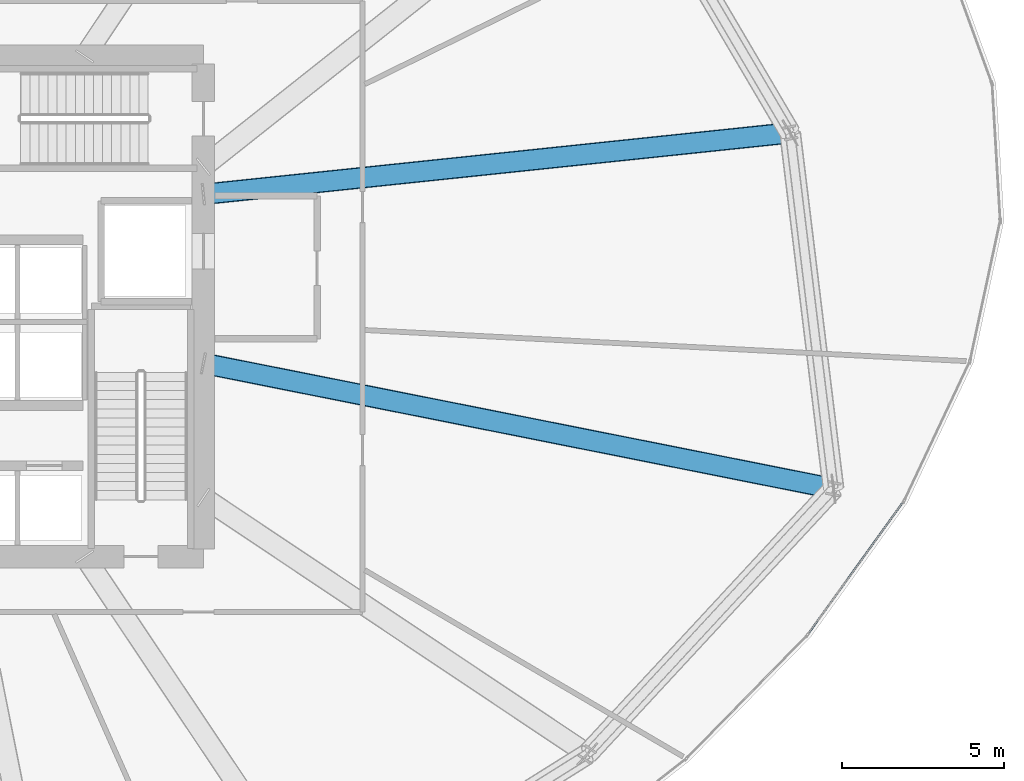
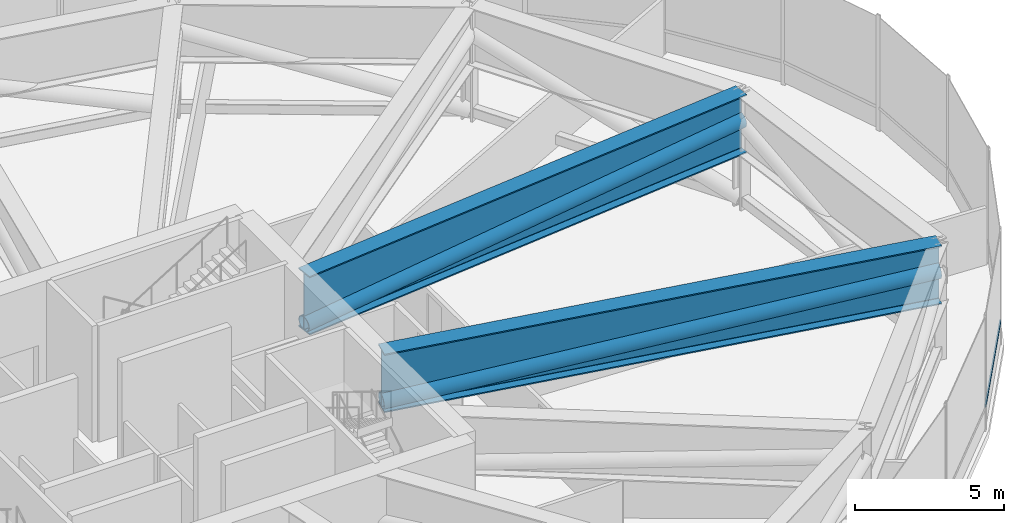
# One storey, part 14 of 33: 3 members, 2 beams, 1 element without a shape of its own.
"""IFC4 building model written with IfcOpenShell, lengths in metres."""

from ifc_helpers import new_model, si_unit, direction, frame, origin, origin_2d, place, context, subcontext, project, spatial, hollow_rectangle, hollow_circle, i_section, extrude, source, transform, mapped, material, layer, layer_set, material_profile, profile_set, type_object, element, aggregate, save


model = new_model("IFC4")

# Units and contexts
model_context = context("Model", 3, precision=1e-05, world=origin(), true_north=direction((0.0, 1.0)))
body_context = subcontext(model_context, "Body", "Model", "MODEL_VIEW")
ifc_project = project(units=[si_unit("LENGTHUNIT", "METRE"), si_unit("AREAUNIT", "SQUARE_METRE"), si_unit("VOLUMEUNIT", "CUBIC_METRE"), si_unit("PLANEANGLEUNIT", "RADIAN"), si_unit("MASSUNIT", "GRAM", prefix="KILO"), si_unit("THERMODYNAMICTEMPERATUREUNIT", "KELVIN")], contexts=[model_context])

# Site, building, storey
site_placement = place(None, origin())
site = spatial("IfcSite", under=ifc_project, at=site_placement, CompositionType="ELEMENT")
building_placement = place(site_placement, origin())
building = spatial("IfcBuilding", under=site, at=building_placement, Name="Kethvar Cultural Tower", CompositionType="ELEMENT")
storey_placement = place(building_placement, frame((0.0, 0.0, 80.39990234375)))
storey = spatial("IfcBuildingStorey", under=building, at=storey_placement, Name="L19", CompositionType="ELEMENT", Elevation=80.39990234375)

# Beam
ifc_material_1 = material(Name="Steel S460M", Category="steel")
ifc_material_profile_1 = material_profile(ifc_material_1, i_section(OverallWidth=0.64990234375, OverallDepth=2.39990234375, WebThickness=0.030029296875, FlangeThickness=0.048095703125, FilletRadius=0.02197265625, at=origin_2d()), Name="Steel S460M — PG2400x650x48x30")
ifc_profile_set_1 = profile_set([ifc_material_profile_1], Name="Steel S460M — PG2400x650x48x30")
beam_type = type_object("IfcBeamType", Name="BM-TR2400", PredefinedType="BEAM", material=ifc_profile_set_1)
shared_shape_1 = source(origin(), body_context, "Body", "SweptSolid", [
    extrude(i_section(OverallWidth=0.64990234375, OverallDepth=2.39990234375, WebThickness=0.030029296875, FlangeThickness=0.048095703125, FilletRadius=0.02197265625, at=origin_2d()), origin(), (0.0, 0.0, 1.0), 18.155517578125),
])
beam_1_placement = place(storey_placement, frame((55.60009765625, 31.25, 3.55810546875), z_axis=(0.994554710129, 0.104215778847, 0.0), x_axis=(-0.104215778847, 0.994554710129, 0.0)))
element("IfcBeam", 1, at=beam_1_placement, inside=storey, type_object=beam_type, Name="L19 Outrigger Transfer Girder OG-01", PredefinedType="BEAM", context=body_context, shape_type="MappedRepresentation", body=[
    mapped(shared_shape_1, transform((0.0, 0.0, 0.0), scale=1.0)),
])

# Member
ifc_material_profile_2 = material_profile(ifc_material_1, hollow_circle(Radius=0.304931640625, WallThickness=0.02490234375, at=origin_2d()), Name="Steel S460M — CHS610x25")
ifc_profile_set_2 = profile_set([ifc_material_profile_2], Name="Steel S460M — CHS610x25")
member_type_1 = type_object("IfcMemberType", Name="MB-OUT-610", PredefinedType="BRACE", material=ifc_profile_set_2)
shared_shape_2 = source(origin(), body_context, "Body", "SweptSolid", [
    extrude(hollow_circle(Radius=0.304931640625, WallThickness=0.02490234375, at=origin_2d()), origin(), (0.0, 0.0, 1.0), 18.17822265625),
])
member_1_placement = place(storey_placement, frame((55.60009765625, 31.25, 2.650146484375), z_axis=(0.99331334114, 0.104085700295, 0.049947705729), x_axis=(-0.104215778847, 0.994554710129, 0.0)))
element("IfcMember", 2, at=member_1_placement, inside=storey, type_object=member_type_1, Name="L19 Outrigger Truss Diagonal OB-01", PredefinedType="BRACE", context=body_context, shape_type="MappedRepresentation", body=[
    mapped(shared_shape_2, transform((0.0, 0.0, 0.0), scale=1.0)),
])

# Beam
shared_shape_3 = source(origin(), body_context, "Body", "SweptSolid", [
    extrude(i_section(OverallWidth=0.64990234375, OverallDepth=2.39990234375, WebThickness=0.030029296875, FlangeThickness=0.048095703125, FilletRadius=0.02197265625, at=origin_2d()), origin(), (0.0, 0.0, 1.0), 19.77099609375),
])
beam_2_placement = place(storey_placement, frame((55.60009765625, 26.049560546875, 3.55810546875), z_axis=(0.980784840197, -0.195092535068, 0.0), x_axis=(0.195092535068, 0.980784840197, 0.0)))
element("IfcBeam", 3, at=beam_2_placement, inside=storey, type_object=beam_type, Name="L19 Outrigger Transfer Girder OG-16", PredefinedType="BEAM", context=body_context, shape_type="MappedRepresentation", body=[
    mapped(shared_shape_3, transform((0.0, 0.0, 0.0), scale=1.0)),
])

# Member
shared_shape_4 = source(origin(), body_context, "Body", "SweptSolid", [
    extrude(hollow_circle(Radius=0.304931640625, WallThickness=0.02490234375, at=origin_2d()), origin(), (0.0, 0.0, 1.0), 19.791748046875),
])
member_2_placement = place(storey_placement, frame((55.60009765625, 26.049560546875, 2.650146484375), z_axis=(0.979752240645, -0.194887135824, 0.045875388197), x_axis=(0.195092535068, 0.980784840197, 0.0)))
element("IfcMember", 4, at=member_2_placement, inside=storey, type_object=member_type_1, Name="L19 Outrigger Truss Diagonal OB-16", PredefinedType="BRACE", context=body_context, shape_type="MappedRepresentation", body=[
    mapped(shared_shape_4, transform((0.0, 0.0, 0.0), scale=1.0)),
])

# Curtain wall, member
ifc_material_2 = material(Name="Aluminium 6063-T6", Category="aluminium")
ifc_layer = layer(ifc_material_2, 0.179931640625, Name="Aluminium 6063-T6", Category="aluminium")
ifc_layer_set = layer_set([ifc_layer], Name="Aluminium 6063-T6 (180 mm)")
curtain_wall_type = type_object("IfcCurtainWallType", Name="CW-SYS-02-Z1", PredefinedType="NOTDEFINED", material=ifc_layer_set)
curtain_wall_placement = place(storey_placement, origin())
curtain_wall = element("IfcCurtainWall", 5, at=curtain_wall_placement, inside=storey, type_object=curtain_wall_type, Name="L19 Curtain Wall Run 06", PredefinedType="NOTDEFINED")
ifc_material_profile_3 = material_profile(ifc_material_2, hollow_rectangle(XDim=0.054931640625, YDim=0.1201171875, WallThickness=0.00390625, at=origin_2d()), Name="Aluminium 6063-T6 — RHS120x55x4")
ifc_profile_set_3 = profile_set([ifc_material_profile_3], Name="Aluminium 6063-T6 — RHS120x55x4")
member_type_2 = type_object("IfcMemberType", Name="CW-SYS-02-Z1-TRN", PredefinedType="USERDEFINED", material=ifc_profile_set_3)
shared_shape_5 = source(origin(), body_context, "Body", "SweptSolid", [
    extrude(hollow_rectangle(XDim=0.054931640625, YDim=0.1201171875, WallThickness=0.00390625, at=origin_2d()), origin(), (0.0, 0.0, 1.0), 5.0107421875),
])
member_3_placement = place(storey_placement, frame((74.21875, 17.7294921875, 0.9501953125), z_axis=(0.584151971677, 0.811644302627, 0.0), x_axis=(-0.811644302627, 0.584151971677, 0.0)))
member_3 = element("IfcMember", 6, at=member_3_placement, type_object=member_type_2, Name="CW-L19-R06 Transom 3", ObjectType="TRANSOM", PredefinedType="USERDEFINED", context=body_context, shape_type="MappedRepresentation", body=[
    mapped(shared_shape_5, transform((0.0, 0.0, 0.0), scale=1.0)),
])
aggregate(curtain_wall, [member_3])

save(model, "model.ifc")
